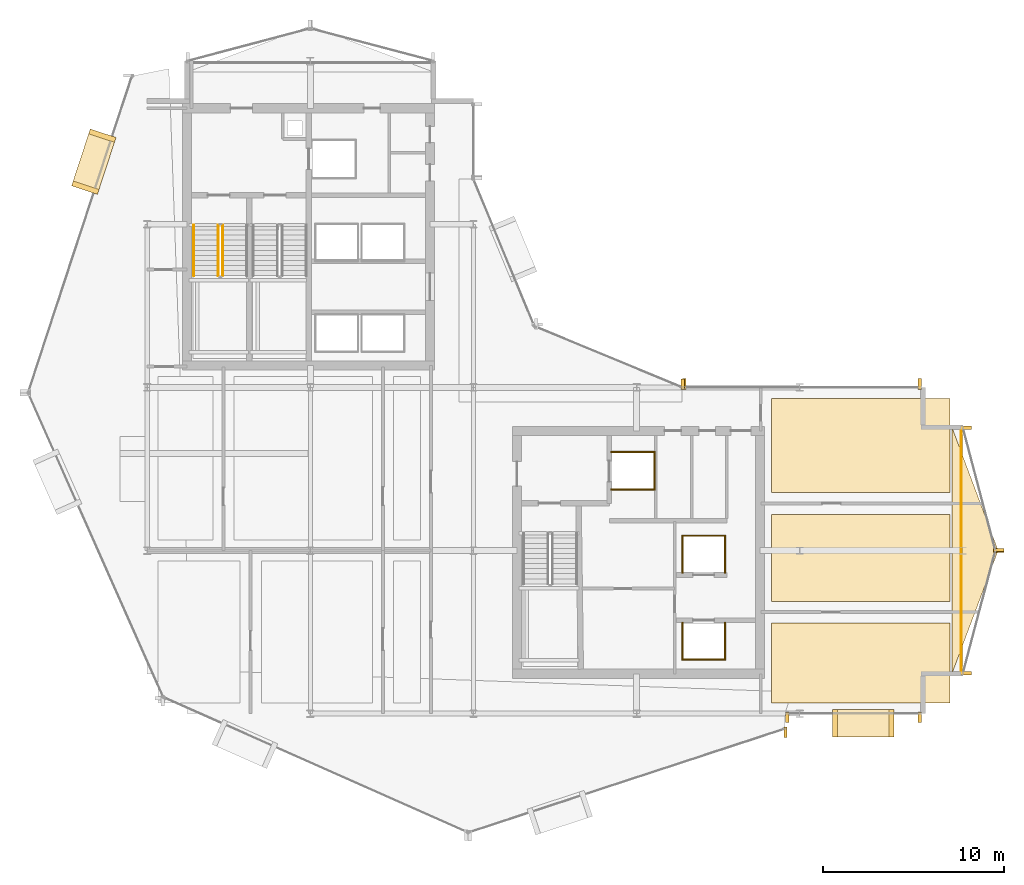
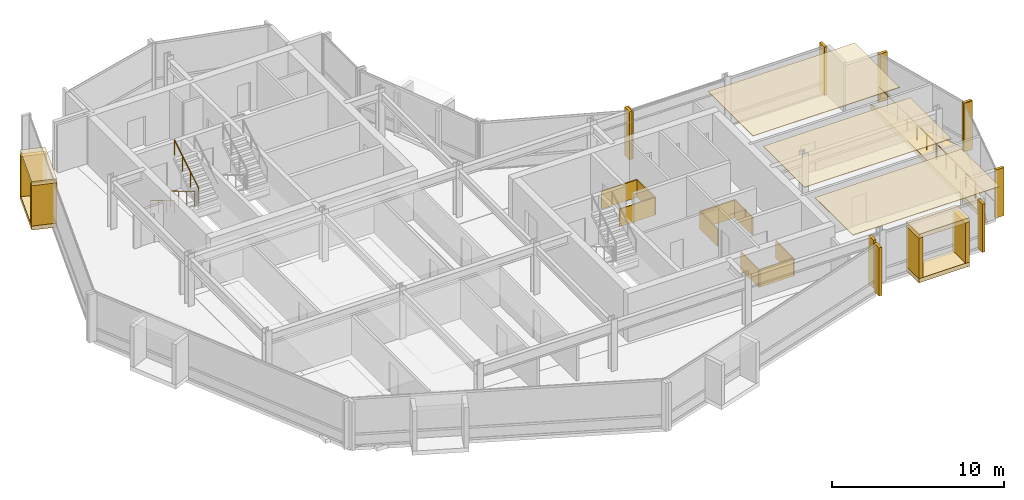
# One storey, part 26 of 27: 31 coverings, 4 railings.
"""IFC4 building model written with IfcOpenShell, lengths in metres."""

from ifc_helpers import new_model, si_unit, direction, frame, origin, origin_2d, place, context, subcontext, project, spatial, polyline, rectangle, circle, outline, extrude, material, layer, layer_set, type_object, element, save


model = new_model("IFC4")

# Units and contexts
model_context = context("Model", 3, precision=1e-05, world=origin(), true_north=direction((0.0, 1.0)))
body_context = subcontext(model_context, "Body", "Model", "MODEL_VIEW")
ifc_project = project(units=[si_unit("LENGTHUNIT", "METRE"), si_unit("AREAUNIT", "SQUARE_METRE"), si_unit("VOLUMEUNIT", "CUBIC_METRE"), si_unit("PLANEANGLEUNIT", "RADIAN"), si_unit("MASSUNIT", "GRAM", prefix="KILO")], contexts=[model_context])

# Site, building, storey
site_placement = place(None, origin())
site = spatial("IfcSite", under=ifc_project, at=site_placement, CompositionType="ELEMENT")
building_placement = place(site_placement, origin())
building = spatial("IfcBuilding", under=site, at=building_placement, Name="Solvaryn Broadcast Tower", CompositionType="ELEMENT")
storey_placement = place(building_placement, frame((0.0, 0.0, 189.0)))
storey = spatial("IfcBuildingStorey", under=building, at=storey_placement, Name="L47", CompositionType="ELEMENT", Elevation=189.0)

# Coverings
ifc_material_1 = material(Name="Micro-Perforated Acoustic Gypsum Ceiling", Category="concrete")
ifc_layer_1 = layer(ifc_material_1, 0.0400390625)
ifc_layer_set_1 = layer_set([ifc_layer_1], Name="CV-CEIL-ACOUSTIC")
covering_type_1 = type_object("IfcCoveringType", Name="CV-CEIL-ACOUSTIC", PredefinedType="CEILING", material=ifc_layer_set_1)
covering_1_placement = place(storey_placement, frame((0.0, 0.0, 3.3798828125)))
element("IfcCovering", 1, at=covering_1_placement, inside=storey, type_object=covering_type_1, Name="L47 Room Acoustic Ceiling 7", PredefinedType="CEILING", context=body_context, shape_type="SweptSolid", body=[
    extrude(outline(polyline([(43.449951171875, 9.60009765625), (53.300048828125, 9.60009765625), (53.300048828125, 14.0), (43.449951171875, 14.0), (43.449951171875, 9.60009765625)])), origin(), (0.0, 0.0, 1.0), 0.0400390625),
])
covering_2_placement = place(storey_placement, frame((0.0, 0.0, 3.3798828125)))
element("IfcCovering", 2, at=covering_2_placement, inside=storey, type_object=covering_type_1, Name="L47 Room Acoustic Ceiling 8", PredefinedType="CEILING", context=body_context, shape_type="SweptSolid", body=[
    extrude(outline(polyline([(43.449951171875, 15.199951171875), (53.300048828125, 15.199951171875), (53.300048828125, 20.0), (43.449951171875, 20.0), (43.449951171875, 15.199951171875)])), origin(), (0.0, 0.0, 1.0), 0.0400390625),
])
covering_3_placement = place(storey_placement, frame((0.0, 0.0, 3.3798828125)))
element("IfcCovering", 3, at=covering_3_placement, inside=storey, type_object=covering_type_1, Name="L47 Room Acoustic Ceiling 9", PredefinedType="CEILING", context=body_context, shape_type="SweptSolid", body=[
    extrude(outline(polyline([(43.449951171875, 21.199951171875), (53.300048828125, 21.199951171875), (53.300048828125, 26.39990234375), (43.449951171875, 26.39990234375), (43.449951171875, 21.199951171875)])), origin(), (0.0, 0.0, 1.0), 0.0400390625),
])
ifc_material_2 = material(Name="Fire-Rated Gypsum Shaftwall Liner", Category="concrete")
ifc_layer_2 = layer(ifc_material_2, 0.080078125)
ifc_layer_set_2 = layer_set([ifc_layer_2], Name="CV-SHAFT-LINER")
covering_type_2 = type_object("IfcCoveringType", Name="CV-SHAFT-LINER", PredefinedType="CLADDING", material=ifc_layer_set_2)
for number, where, z_axis, x_axis, name in (
    (4, (35.800048828125, 23.43994140625, 0.0), (0.0, 0.0, 1.0), (1.0, 0.0, 0.0), "L47 FL2 Hoistway Shaft Liner North"),
    (5, (35.800048828125, 21.360107421875, 0.0), (0.0, 0.0, 1.0), (1.0, 0.0, 0.0), "L47 FL2 Hoistway Shaft Liner South"),
):
    element("IfcCovering", number, at=place(storey_placement, frame(where, z_axis=z_axis, x_axis=x_axis)), inside=storey, type_object=covering_type_2, Name=name, PredefinedType="CLADDING", context=body_context, shape_type="SweptSolid", body=[
        extrude(rectangle(XDim=2.4599609375, YDim=0.080078125, at=origin_2d()), origin(), (0.0, 0.0, 1.0), 1.25),
    ])
covering_4_placement = place(storey_placement, frame((36.989990234375, 22.39990234375, 0.0), z_axis=(0.0, 0.0, 1.0), x_axis=(1.0, 0.0, 0.0)))
element("IfcCovering", 6, at=covering_4_placement, inside=storey, type_object=covering_type_2, Name="L47 FL2 Hoistway Shaft Liner East", PredefinedType="CLADDING", context=body_context, shape_type="SweptSolid", body=[
    extrude(rectangle(XDim=0.080078125, YDim=2.159912109375, at=origin_2d()), origin(), (0.0, 0.0, 1.0), 1.25),
])
covering_5_placement = place(storey_placement, frame((39.699951171875, 11.985107421875, 0.0), z_axis=(0.0, 0.0, 1.0), x_axis=(1.0, 0.0, 0.0)))
element("IfcCovering", 7, at=covering_5_placement, inside=storey, type_object=covering_type_2, Name="L47 PM1 Hoistway Shaft Liner South", PredefinedType="CLADDING", context=body_context, shape_type="SweptSolid", body=[
    extrude(rectangle(XDim=2.409912109375, YDim=0.080078125, at=origin_2d()), origin(), (0.0, 0.0, 1.0), 1.25),
])
for number, where, z_axis, x_axis, name in (
    (8, (40.864990234375, 13.0, 0.0), (0.0, 0.0, 1.0), (1.0, 0.0, 0.0), "L47 PM1 Hoistway Shaft Liner East"),
    (9, (38.534912109375, 13.0, 0.0), (0.0, 0.0, 1.0), (1.0, 0.0, 0.0), "L47 PM1 Hoistway Shaft Liner West"),
):
    element("IfcCovering", number, at=place(storey_placement, frame(where, z_axis=z_axis, x_axis=x_axis)), inside=storey, type_object=covering_type_2, Name=name, PredefinedType="CLADDING", context=body_context, shape_type="SweptSolid", body=[
        extrude(rectangle(XDim=0.080078125, YDim=2.110107421875, at=origin_2d()), origin(), (0.0, 0.0, 1.0), 1.25),
    ])
covering_6_placement = place(storey_placement, frame((39.699951171875, 18.81494140625, 0.0), z_axis=(0.0, 0.0, 1.0), x_axis=(1.0, 0.0, 0.0)))
element("IfcCovering", 10, at=covering_6_placement, inside=storey, type_object=covering_type_2, Name="L47 PM2 Hoistway Shaft Liner North", PredefinedType="CLADDING", context=body_context, shape_type="SweptSolid", body=[
    extrude(rectangle(XDim=2.409912109375, YDim=0.080078125, at=origin_2d()), origin(), (0.0, 0.0, 1.0), 1.25),
])
for number, where, z_axis, x_axis, name in (
    (11, (40.864990234375, 17.800048828125, 0.0), (0.0, 0.0, 1.0), (1.0, 0.0, 0.0), "L47 PM2 Hoistway Shaft Liner East"),
    (12, (38.534912109375, 17.800048828125, 0.0), (0.0, 0.0, 1.0), (1.0, 0.0, 0.0), "L47 PM2 Hoistway Shaft Liner West"),
):
    element("IfcCovering", number, at=place(storey_placement, frame(where, z_axis=z_axis, x_axis=x_axis)), inside=storey, type_object=covering_type_2, Name=name, PredefinedType="CLADDING", context=body_context, shape_type="SweptSolid", body=[
        extrude(rectangle(XDim=0.080078125, YDim=2.110107421875, at=origin_2d()), origin(), (0.0, 0.0, 1.0), 1.25),
    ])
ifc_material_3 = material(Name="Glazed Architectural Terracotta Rainscreen Cladding", Category="masonry")
ifc_layer_3 = layer(ifc_material_3, 0.280029296875)
ifc_layer_set_3 = layer_set([ifc_layer_3], Name="CV-TC-CLAD")
covering_type_3 = type_object("IfcCoveringType", Name="CV-TC-CLAD", PredefinedType="CLADDING", material=ifc_layer_set_3)
for number, where, z_axis, x_axis, name in (
    (13, (6.054931640625, 39.4541015625, 3.1298828125), (0.0, 0.0, 1.0), (-0.311505792684, -0.950244253402, 0.0), "L47 Projecting Stone Window Box Hood 1"),
    (14, (6.054931640625, 39.4541015625, -0.01025390625), (0.0, 0.0, 1.0), (-0.311505792684, -0.950244253402, 0.0), "L47 Projecting Stone Window Box Sill 1"),
):
    element("IfcCovering", number, at=place(storey_placement, frame(where, z_axis=z_axis, x_axis=x_axis)), inside=storey, type_object=covering_type_3, Name=name, PredefinedType="CLADDING", context=body_context, shape_type="SweptSolid", body=[
        extrude(rectangle(XDim=3.300048828125, YDim=1.5, at=origin_2d()), origin(), (0.0, 0.0, 1.0), 0.300048828125),
    ])
for number, where, z_axis, x_axis, name in (
    (15, (6.525390625, 40.888916015625, 0.27978515625), (0.0, 0.0, 1.0), (-0.311505792684, -0.950244253402, 0.0), "L47 Projecting Stone Window Box Cheek 1-1"),
    (16, (5.584716796875, 38.01904296875, 0.27978515625), (0.0, 0.0, 1.0), (-0.311505792684, -0.950244253402, 0.0), "L47 Projecting Stone Window Box Cheek 1-2"),
):
    element("IfcCovering", number, at=place(storey_placement, frame(where, z_axis=z_axis, x_axis=x_axis)), inside=storey, type_object=covering_type_3, Name=name, PredefinedType="CLADDING", context=body_context, shape_type="SweptSolid", body=[
        extrude(rectangle(XDim=0.280029296875, YDim=1.5, at=origin_2d()), origin(), (0.0, 0.0, 1.0), 2.860107421875),
    ])
for number, where, z_axis, x_axis, name in (
    (17, (48.5, 8.469970703125, 3.1298828125), (0.0, 0.0, 1.0), (1.0, 0.0, 0.0), "L47 Projecting Stone Window Box Hood 6"),
    (18, (48.5, 8.469970703125, -0.01025390625), (0.0, 0.0, 1.0), (1.0, 0.0, 0.0), "L47 Projecting Stone Window Box Sill 6"),
):
    element("IfcCovering", number, at=place(storey_placement, frame(where, z_axis=z_axis, x_axis=x_axis)), inside=storey, type_object=covering_type_3, Name=name, PredefinedType="CLADDING", context=body_context, shape_type="SweptSolid", body=[
        extrude(rectangle(XDim=3.39990234375, YDim=1.5, at=origin_2d()), origin(), (0.0, 0.0, 1.0), 0.300048828125),
    ])
for number, where, z_axis, x_axis, name in (
    (19, (46.93994140625, 8.469970703125, 0.27978515625), (0.0, 0.0, 1.0), (1.0, 0.0, 0.0), "L47 Projecting Stone Window Box Cheek 6-1"),
    (20, (50.06005859375, 8.469970703125, 0.27978515625), (0.0, 0.0, 1.0), (1.0, 0.0, 0.0), "L47 Projecting Stone Window Box Cheek 6-2"),
):
    element("IfcCovering", number, at=place(storey_placement, frame(where, z_axis=z_axis, x_axis=x_axis)), inside=storey, type_object=covering_type_3, Name=name, PredefinedType="CLADDING", context=body_context, shape_type="SweptSolid", body=[
        extrude(rectangle(XDim=0.280029296875, YDim=1.5, at=origin_2d()), origin(), (0.0, 0.0, 1.0), 2.860107421875),
    ])
ifc_material_4 = material(Name="Extruded Architectural Terracotta Fin", Category="masonry")
ifc_layer_4 = layer(ifc_material_4, 0.179931640625)
ifc_layer_set_4 = layer_set([ifc_layer_4], Name="CV-TC-FIN")
covering_type_4 = type_object("IfcCoveringType", Name="CV-TC-FIN", PredefinedType="USERDEFINED", material=ifc_layer_set_4)
for number, where, z_axis, x_axis, name in (
    (21, (44.209716796875, 7.982666015625, 0.0), (0.0, 0.0, 1.0), (1.0, 0.0, 0.0), "L47 Terracotta Vertical Fin FIN-L47-DR4-M01"),
    (22, (38.541259765625, 27.177978515625, 0.0), (0.0, 0.0, 1.0), (1.0, 0.0, 0.0), "L47 Terracotta Vertical Fin FIN-L47-CN1-M00"),
    (23, (44.31201171875, 8.8125, 0.0), (0.0, 0.0, 1.0), (1.0, 0.0, 0.0), "L47 Terracotta Vertical Fin FIN-L47-S2-M00"),
    (24, (51.6201171875, 8.8125, 0.0), (0.0, 0.0, 1.0), (1.0, 0.0, 0.0), "L47 Terracotta Vertical Fin FIN-L47-S2-M01"),
):
    element("IfcCovering", number, at=place(storey_placement, frame(where, z_axis=z_axis, x_axis=x_axis)), inside=storey, type_object=covering_type_4, Name=name, ObjectType="FIN", PredefinedType="USERDEFINED", context=body_context, shape_type="SweptSolid", body=[
        extrude(rectangle(XDim=0.179931640625, YDim=0.580078125, at=origin_2d()), origin(), (0.0, 0.0, 1.0), 3.419921875),
    ])
for number, where, z_axis, x_axis, name in (
    (25, (54.1953125, 24.77099609375, 0.0), (0.0, 0.0, 1.0), (1.0, 0.0, 0.0), "L47 Terracotta Vertical Fin FIN-L47-ET1-M00"),
    (26, (55.979736328125, 18.029052734375, 0.0), (0.0, 0.0, 1.0), (1.0, 0.0, 0.0), "L47 Terracotta Vertical Fin FIN-L47-ET1-M01"),
    (27, (55.979736328125, 17.970947265625, 0.0), (0.0, 0.0, 1.0), (1.0, 0.0, 0.0), "L47 Terracotta Vertical Fin FIN-L47-ET2-M00"),
    (28, (54.1953125, 11.22900390625, 0.0), (0.0, 0.0, 1.0), (1.0, 0.0, 0.0), "L47 Terracotta Vertical Fin FIN-L47-ET2-M01"),
):
    element("IfcCovering", number, at=place(storey_placement, frame(where, z_axis=z_axis, x_axis=x_axis)), inside=storey, type_object=covering_type_4, Name=name, ObjectType="FIN", PredefinedType="USERDEFINED", context=body_context, shape_type="SweptSolid", body=[
        extrude(rectangle(XDim=0.580078125, YDim=0.179931640625, at=origin_2d()), origin(), (0.0, 0.0, 1.0), 3.419921875),
    ])
for number, where, z_axis, x_axis, name in (
    (29, (38.6298828125, 27.1875, 0.0), (0.0, 0.0, 1.0), (1.0, 0.0, 0.0), "L47 Terracotta Vertical Fin FIN-L47-IH-M00"),
    (30, (51.6201171875, 27.1875, 0.0), (0.0, 0.0, 1.0), (1.0, 0.0, 0.0), "L47 Terracotta Vertical Fin FIN-L47-IH-M01"),
):
    element("IfcCovering", number, at=place(storey_placement, frame(where, z_axis=z_axis, x_axis=x_axis)), inside=storey, type_object=covering_type_4, Name=name, ObjectType="FIN", PredefinedType="USERDEFINED", context=body_context, shape_type="SweptSolid", body=[
        extrude(rectangle(XDim=0.179931640625, YDim=0.580078125, at=origin_2d()), origin(), (0.0, 0.0, 1.0), 3.419921875),
    ])
ifc_material_5 = material(Name="Sculpted Architectural Terracotta Wave Fascia", Category="masonry")
ifc_layer_5 = layer(ifc_material_5, 0.340087890625)
ifc_layer_set_5 = layer_set([ifc_layer_5], Name="CV-WAVE-TRAY")
covering_type_5 = type_object("IfcCoveringType", Name="CV-WAVE-TRAY", PredefinedType="CLADDING", material=ifc_layer_set_5)
covering_7_placement = place(storey_placement, frame((0.0, 0.0, -0.300048828125)))
element("IfcCovering", 31, at=covering_7_placement, inside=storey, type_object=covering_type_5, Name="L47 East Curved Wing Deck", PredefinedType="CLADDING", context=body_context, shape_type="SweptSolid", body=[
    extrude(outline(polyline([(53.39990234375, 11.199951171875), (55.949951171875, 18.0), (53.39990234375, 24.800048828125), (53.39990234375, 11.199951171875)])), origin(), (0.0, 0.0, 1.0), 0.330078125),
])

# Railings
ifc_material_6 = material(Name="Painted Steel Stair Well Guard", Category="steel")
railing_type_1 = type_object("IfcRailingType", Name="RL-STAIR-GUARD", PredefinedType="BALUSTRADE", material=ifc_material_6)
railing_1_placement = place(storey_placement, frame((12.909912109375, 35.9599609375, 0.168212890625)))
element("IfcRailing", 32, at=railing_1_placement, inside=storey, type_object=railing_type_1, Name="L47 ST1 stair guard 1", PredefinedType="BALUSTRADE", context=body_context, shape_type="SweptSolid", body=[
    extrude(circle(Radius=0.02392578125, at=origin_2d()), frame((0.0, 0.0, 1.076171875), z_axis=(0.0, -0.857242210791, 0.514913383045), x_axis=(1.0, 0.0, 0.0)), (0.0, 0.0, 1.0), 3.266357421875),
    extrude(circle(Radius=0.02099609375, at=origin_2d()), origin(), (0.0, 0.0, 1.0), 1.052001953125),
    extrude(circle(Radius=0.02099609375, at=origin_2d()), frame((0.0, -0.933349609375, 0.560546875)), (0.0, 0.0, 1.0), 1.052001953125),
    extrude(circle(Radius=0.02099609375, at=origin_2d()), frame((0.0, -1.86669921875, 1.121337890625)), (0.0, 0.0, 1.0), 1.052001953125),
    extrude(circle(Radius=0.02099609375, at=origin_2d()), frame((0.0, -2.800048828125, 1.681884765625)), (0.0, 0.0, 1.0), 1.052001953125),
])
railing_2_placement = place(storey_placement, frame((13.159912109375, 33.159912109375, 2.01806640625)))
element("IfcRailing", 33, at=railing_2_placement, inside=storey, type_object=railing_type_1, Name="L47 ST1 stair guard 3", PredefinedType="BALUSTRADE", context=body_context, shape_type="SweptSolid", body=[
    extrude(circle(Radius=0.02392578125, at=origin_2d()), frame((0.0, 0.0, 1.076171875), z_axis=(0.0, 0.857242210791, 0.514913383045), x_axis=(-1.0, 0.0, 0.0)), (0.0, 0.0, 1.0), 3.266357421875),
    extrude(circle(Radius=0.02099609375, at=origin_2d()), origin(), (0.0, 0.0, 1.0), 1.052001953125),
    extrude(circle(Radius=0.02099609375, at=origin_2d()), frame((0.0, 0.933349609375, 0.560546875)), (0.0, 0.0, 1.0), 1.052001953125),
    extrude(circle(Radius=0.02099609375, at=origin_2d()), frame((0.0, 1.86669921875, 1.121337890625)), (0.0, 0.0, 1.0), 1.052001953125),
    extrude(circle(Radius=0.02099609375, at=origin_2d()), frame((0.0, 2.800048828125, 1.681884765625)), (0.0, 0.0, 1.0), 1.052001953125),
])
ifc_material_7 = material(Name="Brushed Stainless Steel Tubular Handrail", Category="steel")
railing_type_2 = type_object("IfcRailingType", Name="RL-STAIR-HANDRAIL", PredefinedType="HANDRAIL", material=ifc_material_7)
railing_3_placement = place(storey_placement, frame((11.570068359375, 35.9599609375, 0.168212890625)))
element("IfcRailing", 34, at=railing_3_placement, inside=storey, type_object=railing_type_2, Name="L47 ST1 stair handrail 1", PredefinedType="HANDRAIL", context=body_context, shape_type="SweptSolid", body=[
    extrude(circle(Radius=0.02392578125, at=origin_2d()), frame((0.0, 0.0, 0.8759765625), z_axis=(0.0, -0.857242210791, 0.514913383045), x_axis=(1.0, 0.0, 0.0)), (0.0, 0.0, 1.0), 3.266357421875),
    extrude(circle(Radius=0.02099609375, at=origin_2d()), origin(), (0.0, 0.0, 1.0), 0.851806640625),
    extrude(circle(Radius=0.02099609375, at=origin_2d()), frame((0.0, -0.933349609375, 0.560546875)), (0.0, 0.0, 1.0), 0.851806640625),
    extrude(circle(Radius=0.02099609375, at=origin_2d()), frame((0.0, -1.86669921875, 1.121337890625)), (0.0, 0.0, 1.0), 0.851806640625),
    extrude(circle(Radius=0.02099609375, at=origin_2d()), frame((0.0, -2.800048828125, 1.681884765625)), (0.0, 0.0, 1.0), 0.851806640625),
])
ifc_material_8 = material(Name="Stainless Steel and Laminated Glass Guard", Category="steel")
railing_type_3 = type_object("IfcRailingType", Name="RL-TER-1150", PredefinedType="BALUSTRADE", material=ifc_material_8)
railing_4_placement = place(storey_placement, frame((53.919921875, 11.199951171875, 0.0)))
element("IfcRailing", 35, at=railing_4_placement, inside=storey, type_object=railing_type_3, Name="L47 East Wing Spandrel Edge Guard", PredefinedType="BALUSTRADE", context=body_context, shape_type="SweptSolid", body=[
    extrude(circle(Radius=0.02392578125, at=origin_2d()), frame((0.0, 0.0, 1.1259765625), z_axis=(0.0, 1.0, 0.0), x_axis=(-1.0, 0.0, 0.0)), (0.0, 0.0, 1.0), 13.60009765625),
    extrude(circle(Radius=0.02099609375, at=origin_2d()), origin(), (0.0, 0.0, 1.0), 1.101806640625),
    extrude(circle(Radius=0.02099609375, at=origin_2d()), frame((0.0, 1.13330078125, 0.0)), (0.0, 0.0, 1.0), 1.101806640625),
    extrude(circle(Radius=0.02099609375, at=origin_2d()), frame((0.0, 2.2666015625, 0.0)), (0.0, 0.0, 1.0), 1.101806640625),
    extrude(circle(Radius=0.02099609375, at=origin_2d()), frame((0.0, 3.39990234375, 0.0)), (0.0, 0.0, 1.0), 1.101806640625),
    extrude(circle(Radius=0.02099609375, at=origin_2d()), frame((0.0, 4.533447265625, 0.0)), (0.0, 0.0, 1.0), 1.101806640625),
    extrude(circle(Radius=0.02099609375, at=origin_2d()), frame((0.0, 5.666748046875, 0.0)), (0.0, 0.0, 1.0), 1.101806640625),
    extrude(circle(Radius=0.02099609375, at=origin_2d()), frame((0.0, 6.800048828125, 0.0)), (0.0, 0.0, 1.0), 1.101806640625),
    extrude(circle(Radius=0.02099609375, at=origin_2d()), frame((0.0, 7.933349609375, 0.0)), (0.0, 0.0, 1.0), 1.101806640625),
    extrude(circle(Radius=0.02099609375, at=origin_2d()), frame((0.0, 9.066650390625, 0.0)), (0.0, 0.0, 1.0), 1.101806640625),
    extrude(circle(Radius=0.02099609375, at=origin_2d()), frame((0.0, 10.2001953125, 0.0)), (0.0, 0.0, 1.0), 1.101806640625),
    extrude(circle(Radius=0.02099609375, at=origin_2d()), frame((0.0, 11.33349609375, 0.0)), (0.0, 0.0, 1.0), 1.101806640625),
    extrude(circle(Radius=0.02099609375, at=origin_2d()), frame((0.0, 12.466796875, 0.0)), (0.0, 0.0, 1.0), 1.101806640625),
    extrude(circle(Radius=0.02099609375, at=origin_2d()), frame((0.0, 13.60009765625, 0.0)), (0.0, 0.0, 1.0), 1.101806640625),
])

save(model, "model.ifc")
